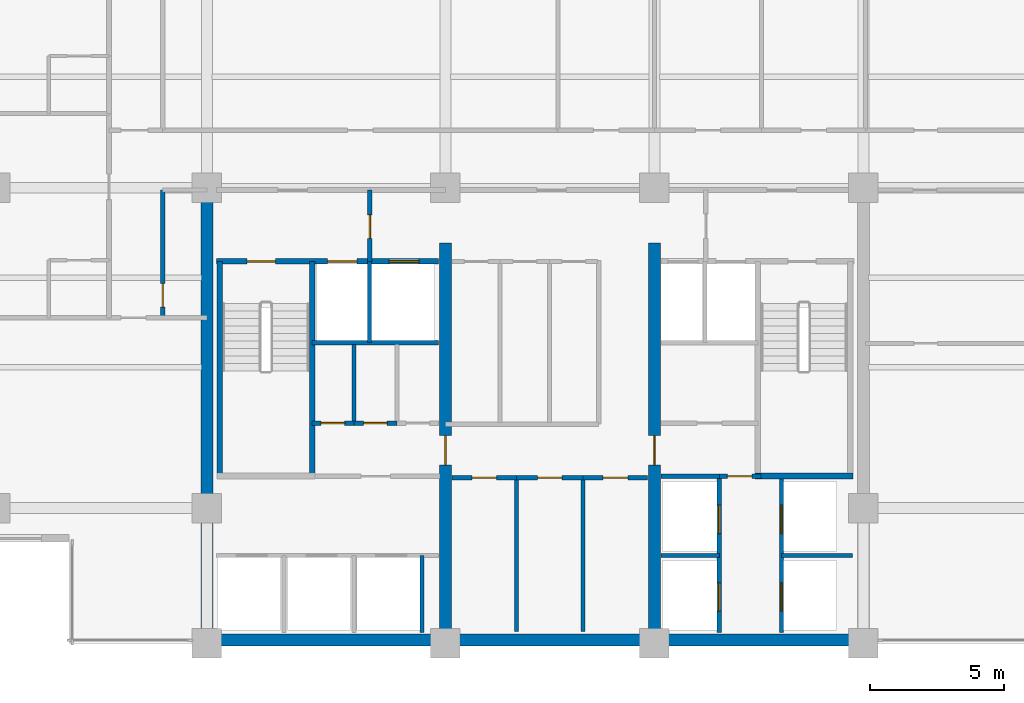
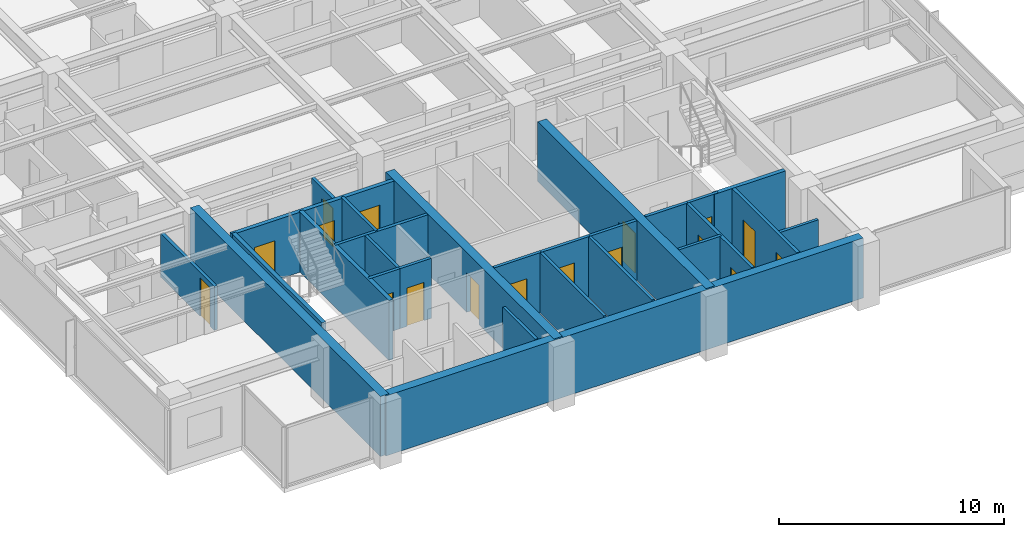
# One storey, part 7 of 15: 27 walls, 17 doors, 17 openings.
"""IFC4 building model written with IfcOpenShell, lengths in metres."""

import ifcopenshell
import ifcopenshell.guid

model = None  # the IFC model being written
_history = None  # IfcOwnerHistory: only IFC2X3 demands one
_inside = {}  # id of a spatial element -> (the spatial element, [elements in it])
_under = {}  # id of a project, library or spatial element -> (it, [spatial elements below it])
_declared = {}  # id of a project -> (the project, [libraries it declares])
_typed = {}  # id of a type object -> (the type object, [elements of that type])
_made_of = {}  # id of a material, layer set ... -> (it, [elements and type objects made of it])


def new_model(schema):
    """Start an empty IFC model of exactly this schema.

    Asked for "IFC4X3", IfcOpenShell would pick the latest addendum, in which some entities
    have other attributes; the version numbers below select the first issue.
    IFC2X3 requires an IfcOwnerHistory on every rooted entity: one is made here for all.
    """
    global model, _history
    if schema == "IFC4X3":
        model = ifcopenshell.file(schema_version=(4, 3, 0, 0))
    else:
        model = ifcopenshell.file(schema=schema)
    _inside.clear()
    _under.clear()
    _declared.clear()
    _typed.clear()
    _made_of.clear()
    _history = None
    if model.schema == "IFC2X3":
        org = make("IfcOrganization", Name="unknown")
        user = make(
            "IfcPersonAndOrganization",
            ThePerson=make("IfcPerson", FamilyName="unknown"),
            TheOrganization=org,
        )
        app = make(
            "IfcApplication",
            ApplicationDeveloper=org,
            Version="unknown",
            ApplicationFullName="unknown",
            ApplicationIdentifier="unknown",
        )
        _history = make(
            "IfcOwnerHistory",
            OwningUser=user,
            OwningApplication=app,
            ChangeAction="ADDED",
            CreationDate=0,
        )
    return model


def make(cls, **values):
    """One entity of the class cls with the attributes given. An attribute that is None is left unset."""
    return model.create_entity(
        cls, **{name: value for name, value in values.items() if value is not None}
    )


def rooted(cls, **values):
    """An entity with a GlobalId (a new one), such as an element, a storey or a relation."""
    return make(cls, GlobalId=ifcopenshell.guid.new(), OwnerHistory=_history, **values)


def si_unit(unit_type, name, prefix=None):
    """IfcSIUnit, for example si_unit("LENGTHUNIT", "METRE", prefix="MILLI")."""
    return make("IfcSIUnit", UnitType=unit_type, Prefix=prefix, Name=name)


def assignment(units):
    """IfcUnitAssignment: the units of a project."""
    return None if units is None else make("IfcUnitAssignment", Units=units)


def point(xyz):
    """IfcCartesianPoint."""
    return None if xyz is None else make("IfcCartesianPoint", Coordinates=xyz)


def direction(xyz):
    """IfcDirection."""
    return None if xyz is None else make("IfcDirection", DirectionRatios=xyz)


def frame(location, z_axis=None, x_axis=None):
    """IfcAxis2Placement3D, a coordinate frame: its origin and axes. An axis left out is left unset."""
    return make(
        "IfcAxis2Placement3D",
        Location=point(location),
        Axis=direction(z_axis),
        RefDirection=direction(x_axis),
    )


def frame_2d(location, x_axis=None):
    """IfcAxis2Placement2D, a coordinate frame in the plane: its origin and x axis."""
    return make(
        "IfcAxis2Placement2D", Location=point(location), RefDirection=direction(x_axis)
    )


def origin():
    """The frame at (0, 0, 0) with its axes left unset."""
    return frame((0.0, 0.0, 0.0))


def place(relative_to, where):
    """IfcLocalPlacement: puts the frame where relative to a parent placement (None: the world)."""
    return make(
        "IfcLocalPlacement", PlacementRelTo=relative_to, RelativePlacement=where
    )


def context(
    kind, dimensions, precision=None, world=None, true_north=None, identifier=None
):
    """IfcGeometricRepresentationContext, for example the 3D "Model" context."""
    return make(
        "IfcGeometricRepresentationContext",
        ContextIdentifier=identifier,
        ContextType=kind,
        CoordinateSpaceDimension=dimensions,
        Precision=precision,
        WorldCoordinateSystem=world,
        TrueNorth=true_north,
    )


def subcontext(parent, identifier, kind, view, scale=None):
    """IfcGeometricRepresentationSubContext, for example "Body" below "Model"."""
    return make(
        "IfcGeometricRepresentationSubContext",
        ContextIdentifier=identifier,
        ContextType=kind,
        ParentContext=parent,
        TargetScale=scale,
        TargetView=view,
    )


def project(units=None, contexts=None):
    """IfcProject with its units and contexts."""
    return rooted(
        "IfcProject",
        Name="project",
        RepresentationContexts=contexts,
        UnitsInContext=assignment(units),
    )


def spatial(cls, under=None, at=None, **own):
    """A site, building, storey or space (cls), placed at a placement, below another one or the project."""
    s = rooted(cls, ObjectPlacement=at, **own)
    if under is not None:
        _under.setdefault(under.id(), (under, []))[1].append(s)
    return s


def profile(cls, at=None, kind="AREA", **sizes):
    """A parametric profile (cls). Its sizes go by their IFC names, for example OverallWidth=200.0."""
    return make(cls, ProfileType=kind, Position=at, **sizes)


def rectangle(**sizes):
    """IfcRectangleProfileDef."""
    return profile("IfcRectangleProfileDef", **sizes)


def extrude(swept, where, along, depth):
    """IfcExtrudedAreaSolid: the profile swept, set in the frame where, extruded along a direction by depth."""
    return make(
        "IfcExtrudedAreaSolid",
        SweptArea=swept,
        Position=where,
        ExtrudedDirection=direction(along),
        Depth=depth,
    )


def shape(context_of_items, identifier, shape_type, items):
    """IfcShapeRepresentation: the items that make up one representation, for example the "Body"."""
    return make(
        "IfcShapeRepresentation",
        ContextOfItems=context_of_items,
        RepresentationIdentifier=identifier,
        RepresentationType=shape_type,
        Items=items,
    )


def material(Name=None, Category=None):
    """IfcMaterial."""
    return make("IfcMaterial", Name=Name, Category=Category)


def layer(
    of_material, thickness, ventilated=None, Name=None, Category=None, Priority=None
):
    """IfcMaterialLayer: one layer of a wall or slab, of a material (None: an air gap)."""
    return make(
        "IfcMaterialLayer",
        Material=of_material,
        LayerThickness=thickness,
        IsVentilated=ventilated,
        Name=Name,
        Category=Category,
        Priority=Priority,
    )


def layer_set(layers, Name=None):
    """IfcMaterialLayerSet."""
    return make("IfcMaterialLayerSet", MaterialLayers=layers, LayerSetName=Name)


def made_of(thing, what):
    """Note that an element or type object is made of a material, layer set ...; save() writes the relation."""
    if what is not None:
        _made_of.setdefault(what.id(), (what, []))[1].append(thing)
    return thing


def type_object(cls, material=None, **own):
    """A type object (cls), such as IfcWallType, which elements share."""
    return made_of(rooted(cls, **own), material)


def element(
    cls,
    number,
    at=None,
    inside=None,
    cuts=None,
    type_object=None,
    material=None,
    context=None,
    identifier="Body",
    shape_type=None,
    held_by="IfcProductDefinitionShape",
    body=None,
    shapes=None,
    **own,
):
    """One element of the class cls, such as IfcWall. Its Tag is "e" and its number.

    at: its placement. inside: the storey or other place that contains it. cuts: it is an
    opening in that element (IfcRelVoidsElement). A single representation is given by context,
    identifier, shape_type and body (its items); several are given by shapes. held_by: the class
    of the entity that holds the representations. save() writes the other relations.
    """
    e = rooted(cls, Tag="e%d" % number, ObjectPlacement=at, **own)
    if body is not None:
        shapes = [shape(context, identifier, shape_type, body)]
    if shapes is not None:
        e.Representation = make(held_by, Representations=shapes)
    if inside is not None:
        _inside.setdefault(inside.id(), (inside, []))[1].append(e)
    if cuts is not None:
        rooted(
            "IfcRelVoidsElement", RelatingBuildingElement=cuts, RelatedOpeningElement=e
        )
    if type_object is not None:
        _typed.setdefault(type_object.id(), (type_object, []))[1].append(e)
    return made_of(e, material)


def fill(opening, filler):
    """IfcRelFillsElement: the door or window that sits in an opening."""
    return rooted(
        "IfcRelFillsElement",
        RelatingOpeningElement=opening,
        RelatedBuildingElement=filler,
    )


def aggregate(whole, parts):
    """IfcRelAggregates: a whole, such as a stair, and the parts it consists of."""
    return rooted("IfcRelAggregates", RelatingObject=whole, RelatedObjects=parts)


def save(model, path):
    """Write the relations noted so far, then the file.

    IfcRelAggregates (storeys below a building ...), IfcRelContainedInSpatialStructure (elements
    in a storey), IfcRelDefinesByType, IfcRelAssociatesMaterial and IfcRelDeclares: one each for
    every whole, place, type object, material and project.
    """
    for whole, parts in _under.values():
        aggregate(whole, parts)
    for where, things in _inside.values():
        rooted(
            "IfcRelContainedInSpatialStructure",
            RelatedElements=things,
            RelatingStructure=where,
        )
    for kind, things in _typed.values():
        rooted("IfcRelDefinesByType", RelatedObjects=things, RelatingType=kind)
    for what, things in _made_of.values():
        rooted("IfcRelAssociatesMaterial", RelatedObjects=things, RelatingMaterial=what)
    for by, libraries in _declared.values():
        rooted("IfcRelDeclares", RelatingContext=by, RelatedDefinitions=libraries)
    model.write(path)


model = new_model("IFC4")

# Units and contexts
model_context = context("Model", 3, precision=1e-05, world=origin(), true_north=direction((0.0, 1.0)))
body_context = subcontext(model_context, "Body", "Model", "MODEL_VIEW")
ifc_project = project(units=[si_unit("LENGTHUNIT", "METRE"), si_unit("AREAUNIT", "SQUARE_METRE"), si_unit("VOLUMEUNIT", "CUBIC_METRE"), si_unit("PLANEANGLEUNIT", "RADIAN"), si_unit("MASSUNIT", "GRAM", prefix="KILO")], contexts=[model_context])

# Site, building, storey
site_placement = place(None, origin())
site = spatial("IfcSite", under=ifc_project, at=site_placement, CompositionType="ELEMENT")
building_placement = place(site_placement, origin())
building = spatial("IfcBuilding", under=site, at=building_placement, Name="Qalmaran Belvedere Hotel", CompositionType="ELEMENT")
storey_placement = place(building_placement, frame((0.0, 0.0, 159.60009765625)))
storey = spatial("IfcBuildingStorey", under=building, at=storey_placement, Name="L40", CompositionType="ELEMENT", Elevation=159.60009765625)

# Wall
ifc_material_1 = material(Name="Concrete C50/60", Category="concrete")
ifc_layer_1 = layer(ifc_material_1, 0.449951171875, Name="Concrete C50/60")
ifc_layer_set_1 = layer_set([ifc_layer_1], Name="Concrete C50/60")
wall_type_1 = type_object("IfcWallType", Name="WL-CORE-450-C50", PredefinedType="SHEAR", material=ifc_layer_set_1)
wall_1_placement = place(storey_placement, frame((20.300048828125, 3.5, 0.0), z_axis=(0.0, 0.0, 1.0), x_axis=(0.0, 1.0, 0.0)))
element("IfcWall", 1, at=wall_1_placement, inside=storey, type_object=wall_type_1, Name="L40 West Core Shear Wall", PredefinedType="SHEAR", context=body_context, shape_type="SweptSolid", body=[
    extrude(rectangle(XDim=16.89990234375, YDim=0.449951171875, at=frame_2d((8.449951171875, 0.0))), origin(), (0.0, 0.0, 1.0), 3.25),
])

# Wall, opening, door
wall_2_placement = place(storey_placement, frame((29.199951171875, 3.5, 0.0), z_axis=(0.0, 0.0, 1.0), x_axis=(0.0, 1.0, 0.0)))
wall_2 = element("IfcWall", 2, at=wall_2_placement, inside=storey, type_object=wall_type_1, Name="L40 Core West Spine Shear Wall", PredefinedType="SHEAR", context=body_context, shape_type="SweptSolid", body=[
    extrude(rectangle(XDim=14.949951171875, YDim=0.449951171875, at=frame_2d((7.47509765625, 0.0))), origin(), (0.0, 0.0, 1.0), 3.25),
])
opening_1_placement = place(wall_2_placement, frame((7.75, 0.0, 0.0), z_axis=(0.0, 0.0, 1.0), x_axis=(-1.0, 0.0, 0.0)))
opening_1 = element("IfcOpeningElement", 3, at=opening_1_placement, cuts=wall_2, Name="Opening FD90", PredefinedType="OPENING", context=body_context, shape_type="SweptSolid", body=[
    extrude(rectangle(XDim=1.10009765625, YDim=2.14990234375, at=frame_2d((0.550048828125, 1.074951171875))), frame((0.0, 0.23486328125, 0.0), z_axis=(0.0, -1.0, 0.0), x_axis=(1.0, 0.0, 0.0)), (0.0, 0.0, 1.0), 0.469970703125),
])
ifc_material_2 = material(Name="Steel S355JR", Category="steel")
door_type_1 = type_object("IfcDoorType", Name="DR-FD90-1100X2150", OperationType="NOTDEFINED", PredefinedType="DOOR", material=ifc_material_2)
door_1_placement = place(opening_1_placement, origin())
door_1 = element("IfcDoor", 4, at=door_1_placement, inside=storey, type_object=door_type_1, Name="L40 Core West Cross-Lobby Door", OperationType="SINGLE_SWING_RIGHT", OverallHeight=2.14990234375, OverallWidth=1.10009765625, PredefinedType="DOOR", context=body_context, shape_type="SweptSolid", body=[
    extrude(rectangle(XDim=1.10009765625, YDim=2.14990234375, at=frame_2d((0.550048828125, 1.074951171875))), frame((0.0, 0.02490234375, 0.0), z_axis=(0.0, -1.0, 0.0), x_axis=(1.0, 0.0, 0.0)), (0.0, 0.0, 1.0), 0.050048828125),
])
fill(opening_1, door_1)

wall_3_placement = place(storey_placement, frame((37.0, 3.5, 0.0), z_axis=(0.0, 0.0, 1.0), x_axis=(0.0, 1.0, 0.0)))
wall_3 = element("IfcWall", 5, at=wall_3_placement, inside=storey, type_object=wall_type_1, Name="L40 Core East Spine Shear Wall", PredefinedType="SHEAR", context=body_context, shape_type="SweptSolid", body=[
    extrude(rectangle(XDim=14.949951171875, YDim=0.449951171875, at=frame_2d((7.47509765625, 0.0))), origin(), (0.0, 0.0, 1.0), 3.25),
])
opening_2_placement = place(wall_3_placement, frame((6.64990234375, 0.0, 0.0)))
opening_2 = element("IfcOpeningElement", 6, at=opening_2_placement, cuts=wall_3, Name="Opening FD90", PredefinedType="OPENING", context=body_context, shape_type="SweptSolid", body=[
    extrude(rectangle(XDim=1.10009765625, YDim=2.14990234375, at=frame_2d((0.550048828125, 1.074951171875))), frame((0.0, 0.23486328125, 0.0), z_axis=(0.0, -1.0, 0.0), x_axis=(1.0, 0.0, 0.0)), (0.0, 0.0, 1.0), 0.469970703125),
])
door_2_placement = place(opening_2_placement, origin())
door_2 = element("IfcDoor", 7, at=door_2_placement, inside=storey, type_object=door_type_1, Name="L40 Core East Cross-Lobby Door", OperationType="SINGLE_SWING_LEFT", OverallHeight=2.14990234375, OverallWidth=1.10009765625, PredefinedType="DOOR", context=body_context, shape_type="SweptSolid", body=[
    extrude(rectangle(XDim=1.10009765625, YDim=2.14990234375, at=frame_2d((0.550048828125, 1.074951171875))), frame((0.0, 0.02490234375, 0.0), z_axis=(0.0, -1.0, 0.0), x_axis=(1.0, 0.0, 0.0)), (0.0, 0.0, 1.0), 0.050048828125),
])
fill(opening_2, door_2)

# Walls
ifc_layer_2 = layer(ifc_material_1, 0.43994140625, Name="Concrete C50/60")
ifc_layer_set_2 = layer_set([ifc_layer_2], Name="Concrete C50/60")
wall_type_2 = type_object("IfcWallType", Name="WL-CORES-440-EXT", PredefinedType="SHEAR", material=ifc_layer_set_2)
wall_4_placement = place(storey_placement, frame((20.300048828125, 3.6298828125, 0.0), z_axis=(0.0, 0.0, 1.0), x_axis=(1.0, 0.0, 0.0)))
element("IfcWall", 8, at=wall_4_placement, inside=storey, type_object=wall_type_2, Name="L40 South Core Shear Wall", PredefinedType="SHEAR", context=body_context, shape_type="SweptSolid", body=[
    extrude(rectangle(XDim=24.5, YDim=0.43994140625, at=frame_2d((12.25, 0.0))), origin(), (0.0, 0.0, 1.0), 3.25),
])
ifc_material_3 = material(Name="Gypsum Stud Partition")
ifc_layer_3 = layer(ifc_material_3, 0.14990234375, Name="Gypsum Stud Partition")
ifc_layer_set_3 = layer_set([ifc_layer_3], Name="Gypsum Stud Partition")
wall_type_3 = type_object("IfcWallType", Name="WL-INT-150-EI120", PredefinedType="PARTITIONING", material=ifc_layer_set_3)
wall_5_placement = place(storey_placement, frame((26.360107421875, 14.719970703125, 0.0), z_axis=(0.0, 0.0, 1.0), x_axis=(0.0, 1.0, 0.0)))
element("IfcWall", 9, at=wall_5_placement, inside=storey, type_object=wall_type_3, Name="L40 Partition WL-FF1M-L40", PredefinedType="PARTITIONING", context=body_context, shape_type="SweptSolid", body=[
    extrude(rectangle(XDim=3.0400390625, YDim=0.14990234375, at=frame_2d((1.52001953125, 0.0))), origin(), (0.0, 0.0, 1.0), 3.25),
])
wall_6_placement = place(storey_placement, frame((28.320068359375, 3.89990234375, 0.0), z_axis=(0.0, 0.0, 1.0), x_axis=(0.0, 1.0, 0.0)))
element("IfcWall", 10, at=wall_6_placement, inside=storey, type_object=wall_type_3, Name="L40 Partition WL-POM3-L40", PredefinedType="PARTITIONING", context=body_context, shape_type="SweptSolid", body=[
    extrude(rectangle(XDim=2.880126953125, YDim=0.14990234375, at=frame_2d((1.43994140625, 0.0))), origin(), (0.0, 0.0, 1.0), 3.25),
])
wall_7_placement = place(storey_placement, frame((37.25, 6.780029296875, 0.0), z_axis=(0.0, 0.0, 1.0), x_axis=(1.0, 0.0, 0.0)))
element("IfcWall", 11, at=wall_7_placement, inside=storey, type_object=wall_type_3, Name="L40 Partition WL-PHMW-L40", PredefinedType="PARTITIONING", context=body_context, shape_type="SweptSolid", body=[
    extrude(rectangle(XDim=2.169921875, YDim=0.14990234375, at=frame_2d((1.0849609375, 0.0))), origin(), (0.0, 0.0, 1.0), 3.25),
])
wall_8_placement = place(storey_placement, frame((41.739990234375, 6.780029296875, 0.0), z_axis=(0.0, 0.0, 1.0), x_axis=(1.0, 0.0, 0.0)))
element("IfcWall", 12, at=wall_8_placement, inside=storey, type_object=wall_type_3, Name="L40 Partition WL-PHME-L40", PredefinedType="PARTITIONING", context=body_context, shape_type="SweptSolid", body=[
    extrude(rectangle(XDim=2.659912109375, YDim=0.14990234375, at=frame_2d((1.330078125, 0.0))), origin(), (0.0, 0.0, 1.0), 2.3798828125),
])
ifc_layer_4 = layer(ifc_material_3, 0.14990234375, Name="Gypsum Stud Partition")
ifc_layer_set_4 = layer_set([ifc_layer_4], Name="Gypsum Stud Partition")
wall_type_4 = type_object("IfcWallType", Name="WL-INT-150-EI60", PredefinedType="PARTITIONING", material=ifc_layer_set_4)
wall_9_placement = place(storey_placement, frame((25.781005859375, 11.719970703125, 0.0), z_axis=(0.0, 0.0, 1.0), x_axis=(0.0, 1.0, 0.0)))
element("IfcWall", 13, at=wall_9_placement, inside=storey, type_object=wall_type_4, Name="L40 Partition WL-L40-KWV1", PredefinedType="PARTITIONING", context=body_context, shape_type="SweptSolid", body=[
    extrude(rectangle(XDim=2.929931640625, YDim=0.14990234375, at=frame_2d((1.46484375, 0.0))), origin(), (0.0, 0.0, 1.0), 3.25),
])
for number, where, z_axis, x_axis, name in (
    (14, (31.85888671875, 3.949951171875, 0.0), (0.0, 0.0, 1.0), (0.0, 1.0, 0.0), "L40 Partition WL-L40-KPLV1"),
    (15, (34.341064453125, 3.949951171875, 0.0), (0.0, 0.0, 1.0), (0.0, 1.0, 0.0), "L40 Partition WL-L40-KPLV2"),
):
    element("IfcWall", number, at=place(storey_placement, frame(where, z_axis=z_axis, x_axis=x_axis)), inside=storey, type_object=wall_type_4, Name=name, PredefinedType="PARTITIONING", context=body_context, shape_type="SweptSolid", body=[
        extrude(rectangle(XDim=5.72998046875, YDim=0.14990234375, at=frame_2d((2.864990234375, 0.0))), origin(), (0.0, 0.0, 1.0), 3.25),
    ])

# Wall, opening, door
ifc_layer_5 = layer(ifc_material_3, 0.159912109375, Name="Gypsum Stud Partition")
ifc_layer_set_5 = layer_set([ifc_layer_5], Name="Gypsum Stud Partition")
wall_type_5 = type_object("IfcWallType", Name="WL-INT-160-EI120", PredefinedType="PARTITIONING", material=ifc_layer_set_5)
wall_10_placement = place(storey_placement, frame((26.3798828125, 17.760009765625, 0.0), z_axis=(0.0, 0.0, 1.0), x_axis=(0.0, 1.0, 0.0)))
wall_10 = element("IfcWall", 16, at=wall_10_placement, inside=storey, type_object=wall_type_5, Name="L40 Partition WL-FFSV1-L40", PredefinedType="PARTITIONING", context=body_context, shape_type="SweptSolid", body=[
    extrude(rectangle(XDim=2.659912109375, YDim=0.159912109375, at=frame_2d((1.330078125, 0.0))), origin(), (0.0, 0.0, 1.0), 2.69189453125),
])
opening_3_placement = place(wall_10_placement, frame((0.85009765625, 0.0, 0.0)))
opening_3 = element("IfcOpeningElement", 17, at=opening_3_placement, cuts=wall_10, Name="Opening FD60B", PredefinedType="OPENING", context=body_context, shape_type="SweptSolid", body=[
    extrude(rectangle(XDim=0.8798828125, YDim=2.080078125, at=frame_2d((0.43994140625, 1.0400390625))), frame((0.0, 0.08984375, 0.0), z_axis=(0.0, -1.0, 0.0), x_axis=(1.0, 0.0, 0.0)), (0.0, 0.0, 1.0), 0.179931640625),
])
door_type_2 = type_object("IfcDoorType", Name="DR-FD60B-880X2080", OperationType="NOTDEFINED", PredefinedType="DOOR", material=ifc_material_2)
door_3_placement = place(opening_3_placement, origin())
door_3 = element("IfcDoor", 18, at=door_3_placement, inside=storey, type_object=door_type_2, Name="L40 Service Lobby West Door", OperationType="SINGLE_SWING_RIGHT", OverallHeight=2.080078125, OverallWidth=0.8798828125, PredefinedType="DOOR", context=body_context, shape_type="SweptSolid", body=[
    extrude(rectangle(XDim=0.8798828125, YDim=2.080078125, at=frame_2d((0.43994140625, 1.0400390625))), frame((0.0, 0.02490234375, 0.0), z_axis=(0.0, -1.0, 0.0), x_axis=(1.0, 0.0, 0.0)), (0.0, 0.0, 1.0), 0.050048828125),
])
fill(opening_3, door_3)

# Wall
wall_11_placement = place(storey_placement, frame((24.219970703125, 14.719970703125, 0.0), z_axis=(0.0, 0.0, 1.0), x_axis=(1.0, 0.0, 0.0)))
element("IfcWall", 19, at=wall_11_placement, inside=storey, type_object=wall_type_5, Name="L40 Partition WL-FF1S-L40", PredefinedType="PARTITIONING", context=body_context, shape_type="SweptSolid", body=[
    extrude(rectangle(XDim=4.72998046875, YDim=0.159912109375, at=frame_2d((2.364990234375, 0.0))), origin(), (0.0, 0.0, 1.0), 3.25),
])

# Wall, openings, doors
wall_12_placement = place(storey_placement, frame((39.419921875, 3.89990234375, 0.0), z_axis=(0.0, 0.0, 1.0), x_axis=(0.0, 1.0, 0.0)))
wall_12 = element("IfcWall", 20, at=wall_12_placement, inside=storey, type_object=wall_type_5, Name="L40 Partition WL-PHW-L40", PredefinedType="PARTITIONING", context=body_context, shape_type="SweptSolid", body=[
    extrude(rectangle(XDim=5.840087890625, YDim=0.159912109375, at=frame_2d((2.919921875, 0.0))), origin(), (0.0, 0.0, 1.0), 3.25),
])
opening_4_placement = place(wall_12_placement, frame((1.860107421875, 0.0, 0.0), z_axis=(0.0, 0.0, 1.0), x_axis=(-1.0, 0.0, 0.0)))
opening_4 = element("IfcOpeningElement", 21, at=opening_4_placement, cuts=wall_12, Name="Opening LD-P2", PredefinedType="OPENING", context=body_context, shape_type="SweptSolid", body=[
    extrude(rectangle(XDim=1.06005859375, YDim=2.159912109375, at=frame_2d((0.530029296875, 1.080078125))), frame((0.0, 0.08984375, 0.0), z_axis=(0.0, -1.0, 0.0), x_axis=(1.0, 0.0, 0.0)), (0.0, 0.0, 1.0), 0.179931640625),
])
opening_5_placement = place(wall_12_placement, frame((4.760009765625, 0.0, 0.0), z_axis=(0.0, 0.0, 1.0), x_axis=(-1.0, 0.0, 0.0)))
opening_5 = element("IfcOpeningElement", 22, at=opening_5_placement, cuts=wall_12, Name="Opening LD-P2", PredefinedType="OPENING", context=body_context, shape_type="SweptSolid", body=[
    extrude(rectangle(XDim=1.06005859375, YDim=2.159912109375, at=frame_2d((0.530029296875, 1.080078125))), frame((0.0, 0.08984375, 0.0), z_axis=(0.0, -1.0, 0.0), x_axis=(1.0, 0.0, 0.0)), (0.0, 0.0, 1.0), 0.179931640625),
])
ifc_material_4 = material(Name="Stainless Steel 1.4401", Category="steel")
door_type_3 = type_object("IfcDoorType", Name="DR-LIFT-P2-1060X2160", OperationType="DOUBLE_DOOR_SLIDING", PredefinedType="DOOR", material=ifc_material_4)
door_4_placement = place(opening_4_placement, origin())
door_4 = element("IfcDoor", 23, at=door_4_placement, inside=storey, type_object=door_type_3, Name="L40 PH1 Lift Landing Door", OperationType="DOUBLE_DOOR_SLIDING", OverallHeight=2.159912109375, OverallWidth=1.06005859375, PredefinedType="DOOR", context=body_context, shape_type="SweptSolid", body=[
    extrude(rectangle(XDim=1.06005859375, YDim=2.159912109375, at=frame_2d((0.530029296875, 1.080078125))), frame((0.0, 0.02490234375, 0.0), z_axis=(0.0, -1.0, 0.0), x_axis=(1.0, 0.0, 0.0)), (0.0, 0.0, 1.0), 0.050048828125),
])
fill(opening_4, door_4)
door_5_placement = place(opening_5_placement, origin())
door_5 = element("IfcDoor", 24, at=door_5_placement, inside=storey, type_object=door_type_3, Name="L40 PH2 Lift Landing Door", OperationType="DOUBLE_DOOR_SLIDING", OverallHeight=2.159912109375, OverallWidth=1.06005859375, PredefinedType="DOOR", context=body_context, shape_type="SweptSolid", body=[
    extrude(rectangle(XDim=1.06005859375, YDim=2.159912109375, at=frame_2d((0.530029296875, 1.080078125))), frame((0.0, 0.02490234375, 0.0), z_axis=(0.0, -1.0, 0.0), x_axis=(1.0, 0.0, 0.0)), (0.0, 0.0, 1.0), 0.050048828125),
])
fill(opening_5, door_5)

wall_13_placement = place(storey_placement, frame((41.739990234375, 3.89990234375, 0.0), z_axis=(0.0, 0.0, 1.0), x_axis=(0.0, 1.0, 0.0)))
wall_13 = element("IfcWall", 25, at=wall_13_placement, inside=storey, type_object=wall_type_5, Name="L40 Partition WL-PHE-L40", PredefinedType="PARTITIONING", context=body_context, shape_type="SweptSolid", body=[
    extrude(rectangle(XDim=5.840087890625, YDim=0.159912109375, at=frame_2d((2.919921875, 0.0))), origin(), (0.0, 0.0, 1.0), 3.25),
])
opening_6_placement = place(wall_13_placement, frame((0.800048828125, 0.0, 0.0)))
opening_6 = element("IfcOpeningElement", 26, at=opening_6_placement, cuts=wall_13, Name="Opening LD-P2", PredefinedType="OPENING", context=body_context, shape_type="SweptSolid", body=[
    extrude(rectangle(XDim=1.06005859375, YDim=2.159912109375, at=frame_2d((0.530029296875, 1.080078125))), frame((0.0, 0.08984375, 0.0), z_axis=(0.0, -1.0, 0.0), x_axis=(1.0, 0.0, 0.0)), (0.0, 0.0, 1.0), 0.179931640625),
])
opening_7_placement = place(wall_13_placement, frame((3.699951171875, 0.0, 0.0)))
opening_7 = element("IfcOpeningElement", 27, at=opening_7_placement, cuts=wall_13, Name="Opening LD-P2", PredefinedType="OPENING", context=body_context, shape_type="SweptSolid", body=[
    extrude(rectangle(XDim=1.06005859375, YDim=2.159912109375, at=frame_2d((0.530029296875, 1.080078125))), frame((0.0, 0.08984375, 0.0), z_axis=(0.0, -1.0, 0.0), x_axis=(1.0, 0.0, 0.0)), (0.0, 0.0, 1.0), 0.179931640625),
])
door_6_placement = place(opening_6_placement, origin())
door_6 = element("IfcDoor", 28, at=door_6_placement, inside=storey, type_object=door_type_3, Name="L40 PH3 Lift Landing Door", OperationType="DOUBLE_DOOR_SLIDING", OverallHeight=2.159912109375, OverallWidth=1.06005859375, PredefinedType="DOOR", context=body_context, shape_type="SweptSolid", body=[
    extrude(rectangle(XDim=1.06005859375, YDim=2.159912109375, at=frame_2d((0.530029296875, 1.080078125))), frame((0.0, 0.02490234375, 0.0), z_axis=(0.0, -1.0, 0.0), x_axis=(1.0, 0.0, 0.0)), (0.0, 0.0, 1.0), 0.050048828125),
])
fill(opening_6, door_6)
door_7_placement = place(opening_7_placement, origin())
door_7 = element("IfcDoor", 29, at=door_7_placement, inside=storey, type_object=door_type_3, Name="L40 PH4 Lift Landing Door", OperationType="DOUBLE_DOOR_SLIDING", OverallHeight=2.159912109375, OverallWidth=1.06005859375, PredefinedType="DOOR", context=body_context, shape_type="SweptSolid", body=[
    extrude(rectangle(XDim=1.06005859375, YDim=2.159912109375, at=frame_2d((0.530029296875, 1.080078125))), frame((0.0, 0.02490234375, 0.0), z_axis=(0.0, -1.0, 0.0), x_axis=(1.0, 0.0, 0.0)), (0.0, 0.0, 1.0), 0.050048828125),
])
fill(opening_7, door_7)

# Wall
wall_14_placement = place(storey_placement, frame((37.25, 9.739990234375, 0.0), z_axis=(0.0, 0.0, 1.0), x_axis=(1.0, 0.0, 0.0)))
element("IfcWall", 30, at=wall_14_placement, inside=storey, type_object=wall_type_5, Name="L40 Partition WL-PHNW-L40", PredefinedType="PARTITIONING", context=body_context, shape_type="SweptSolid", body=[
    extrude(rectangle(XDim=2.169921875, YDim=0.159912109375, at=frame_2d((1.0849609375, 0.0))), origin(), (0.0, 0.0, 1.0), 3.25),
])

# Wall, opening, door
wall_15_placement = place(storey_placement, frame((39.419921875, 9.739990234375, 0.0), z_axis=(0.0, 0.0, 1.0), x_axis=(1.0, 0.0, 0.0)))
wall_15 = element("IfcWall", 31, at=wall_15_placement, inside=storey, type_object=wall_type_5, Name="L40 Partition WL-PHNL-L40", PredefinedType="PARTITIONING", context=body_context, shape_type="SweptSolid", body=[
    extrude(rectangle(XDim=1.56005859375, YDim=0.159912109375, at=frame_2d((0.780029296875, 0.0))), origin(), (0.0, 0.0, 1.0), 3.25),
])
opening_8_placement = place(wall_15_placement, frame((0.300048828125, 0.0, 0.0)))
opening_8 = element("IfcOpeningElement", 32, at=opening_8_placement, cuts=wall_15, Name="Opening FD60S1", PredefinedType="OPENING", context=body_context, shape_type="SweptSolid", body=[
    extrude(rectangle(XDim=0.919921875, YDim=2.080078125, at=frame_2d((0.4599609375, 1.0400390625))), frame((0.0, 0.08984375, 0.0), z_axis=(0.0, -1.0, 0.0), x_axis=(1.0, 0.0, 0.0)), (0.0, 0.0, 1.0), 0.179931640625),
])
ifc_material_5 = material(Name="Engineered Oak Veneer")
door_type_4 = type_object("IfcDoorType", Name="DR-FD60S-920X2080", OperationType="NOTDEFINED", PredefinedType="DOOR", material=ifc_material_5)
door_8_placement = place(opening_8_placement, origin())
door_8 = element("IfcDoor", 33, at=door_8_placement, inside=storey, type_object=door_type_4, Name="L40 High-Rise Lift Lobby Passage Door", OperationType="SINGLE_SWING_RIGHT", OverallHeight=2.080078125, OverallWidth=0.919921875, PredefinedType="DOOR", context=body_context, shape_type="SweptSolid", body=[
    extrude(rectangle(XDim=0.919921875, YDim=2.080078125, at=frame_2d((0.4599609375, 1.0400390625))), frame((0.0, 0.02490234375, 0.0), z_axis=(0.0, -1.0, 0.0), x_axis=(1.0, 0.0, 0.0)), (0.0, 0.0, 1.0), 0.050048828125),
])
fill(opening_8, door_8)

ifc_layer_6 = layer(ifc_material_3, 0.159912109375, Name="Gypsum Stud Partition")
ifc_layer_set_6 = layer_set([ifc_layer_6], Name="Gypsum Stud Partition")
wall_type_6 = type_object("IfcWallType", Name="WL-INT-160-EI60", PredefinedType="PARTITIONING", material=ifc_layer_set_6)
wall_16_placement = place(storey_placement, frame((24.219970703125, 11.719970703125, 0.0), z_axis=(0.0, 0.0, 1.0), x_axis=(1.0, 0.0, 0.0)))
wall_16 = element("IfcWall", 34, at=wall_16_placement, inside=storey, type_object=wall_type_6, Name="L40 Partition WL-L40-KWE1", PredefinedType="PARTITIONING", context=body_context, shape_type="SweptSolid", body=[
    extrude(rectangle(XDim=1.56103515625, YDim=0.159912109375, at=frame_2d((0.780517578125, 0.0))), origin(), (0.0, 0.0, 1.0), 3.25),
])
opening_9_placement = place(wall_16_placement, frame((0.340576171875, 0.0, 0.0)))
opening_9 = element("IfcOpeningElement", 35, at=opening_9_placement, cuts=wall_16, Name="Opening FD60B", PredefinedType="OPENING", context=body_context, shape_type="SweptSolid", body=[
    extrude(rectangle(XDim=0.8798828125, YDim=2.080078125, at=frame_2d((0.43994140625, 1.0400390625))), frame((0.0, 0.08984375, 0.0), z_axis=(0.0, -1.0, 0.0), x_axis=(1.0, 0.0, 0.0)), (0.0, 0.0, 1.0), 0.179931640625),
])
door_9_placement = place(opening_9_placement, origin())
door_9 = element("IfcDoor", 36, at=door_9_placement, inside=storey, type_object=door_type_2, Name="L40 Staff Core WC Door", OperationType="SINGLE_SWING_LEFT", OverallHeight=2.080078125, OverallWidth=0.8798828125, PredefinedType="DOOR", context=body_context, shape_type="SweptSolid", body=[
    extrude(rectangle(XDim=0.8798828125, YDim=2.080078125, at=frame_2d((0.43994140625, 1.0400390625))), frame((0.0, 0.02490234375, 0.0), z_axis=(0.0, -1.0, 0.0), x_axis=(1.0, 0.0, 0.0)), (0.0, 0.0, 1.0), 0.050048828125),
])
fill(opening_9, door_9)

wall_17_placement = place(storey_placement, frame((25.781005859375, 11.719970703125, 0.0), z_axis=(0.0, 0.0, 1.0), x_axis=(1.0, 0.0, 0.0)))
wall_17 = element("IfcWall", 37, at=wall_17_placement, inside=storey, type_object=wall_type_6, Name="L40 Partition WL-L40-KWE2", PredefinedType="PARTITIONING", context=body_context, shape_type="SweptSolid", body=[
    extrude(rectangle(XDim=1.608154296875, YDim=0.159912109375, at=frame_2d((0.80419921875, 0.0))), origin(), (0.0, 0.0, 1.0), 3.25),
])
opening_10_placement = place(wall_17_placement, frame((0.364013671875, 0.0, 0.0)))
opening_10 = element("IfcOpeningElement", 38, at=opening_10_placement, cuts=wall_17, Name="Opening FD60B", PredefinedType="OPENING", context=body_context, shape_type="SweptSolid", body=[
    extrude(rectangle(XDim=0.8798828125, YDim=2.080078125, at=frame_2d((0.43994140625, 1.0400390625))), frame((0.0, 0.08984375, 0.0), z_axis=(0.0, -1.0, 0.0), x_axis=(1.0, 0.0, 0.0)), (0.0, 0.0, 1.0), 0.179931640625),
])
door_10_placement = place(opening_10_placement, origin())
door_10 = element("IfcDoor", 39, at=door_10_placement, inside=storey, type_object=door_type_2, Name="L40 Electrical Distribution Room Door", OperationType="SINGLE_SWING_RIGHT", OverallHeight=2.080078125, OverallWidth=0.8798828125, PredefinedType="DOOR", context=body_context, shape_type="SweptSolid", body=[
    extrude(rectangle(XDim=0.8798828125, YDim=2.080078125, at=frame_2d((0.43994140625, 1.0400390625))), frame((0.0, 0.02490234375, 0.0), z_axis=(0.0, -1.0, 0.0), x_axis=(1.0, 0.0, 0.0)), (0.0, 0.0, 1.0), 0.050048828125),
])
fill(opening_10, door_10)

wall_18_placement = place(storey_placement, frame((29.449951171875, 9.679931640625, 0.0), z_axis=(0.0, 0.0, 1.0), x_axis=(1.0, 0.0, 0.0)))
wall_18 = element("IfcWall", 40, at=wall_18_placement, inside=storey, type_object=wall_type_6, Name="L40 Partition WL-L40-KPLE1", PredefinedType="PARTITIONING", context=body_context, shape_type="SweptSolid", body=[
    extrude(rectangle(XDim=2.408935546875, YDim=0.159912109375, at=frame_2d((1.20458984375, 0.0))), origin(), (0.0, 0.0, 1.0), 3.25),
])
opening_11_placement = place(wall_18_placement, frame((1.664306640625, 0.0, 0.0), z_axis=(0.0, 0.0, 1.0), x_axis=(-1.0, 0.0, 0.0)))
opening_11 = element("IfcOpeningElement", 41, at=opening_11_placement, cuts=wall_18, Name="Opening FD60S1", PredefinedType="OPENING", context=body_context, shape_type="SweptSolid", body=[
    extrude(rectangle(XDim=0.919921875, YDim=2.080078125, at=frame_2d((0.4599609375, 1.0400390625))), frame((0.0, 0.08984375, 0.0), z_axis=(0.0, -1.0, 0.0), x_axis=(1.0, 0.0, 0.0)), (0.0, 0.0, 1.0), 0.179931640625),
])
door_11_placement = place(opening_11_placement, origin())
door_11 = element("IfcDoor", 42, at=door_11_placement, inside=storey, type_object=door_type_4, Name="L40 Housekeeping and Linen Room Door", OperationType="SINGLE_SWING_LEFT", OverallHeight=2.080078125, OverallWidth=0.919921875, PredefinedType="DOOR", context=body_context, shape_type="SweptSolid", body=[
    extrude(rectangle(XDim=0.919921875, YDim=2.080078125, at=frame_2d((0.4599609375, 1.0400390625))), frame((0.0, 0.02490234375, 0.0), z_axis=(0.0, -1.0, 0.0), x_axis=(1.0, 0.0, 0.0)), (0.0, 0.0, 1.0), 0.050048828125),
])
fill(opening_11, door_11)

wall_19_placement = place(storey_placement, frame((31.85888671875, 9.679931640625, 0.0), z_axis=(0.0, 0.0, 1.0), x_axis=(1.0, 0.0, 0.0)))
wall_19 = element("IfcWall", 43, at=wall_19_placement, inside=storey, type_object=wall_type_6, Name="L40 Partition WL-L40-KPLE2", PredefinedType="PARTITIONING", context=body_context, shape_type="SweptSolid", body=[
    extrude(rectangle(XDim=2.482177734375, YDim=0.159912109375, at=frame_2d((1.2412109375, 0.0))), origin(), (0.0, 0.0, 1.0), 3.25),
])
opening_12_placement = place(wall_19_placement, frame((1.700927734375, 0.0, 0.0), z_axis=(0.0, 0.0, 1.0), x_axis=(-1.0, 0.0, 0.0)))
opening_12 = element("IfcOpeningElement", 44, at=opening_12_placement, cuts=wall_19, Name="Opening FD60S1", PredefinedType="OPENING", context=body_context, shape_type="SweptSolid", body=[
    extrude(rectangle(XDim=0.919921875, YDim=2.080078125, at=frame_2d((0.4599609375, 1.0400390625))), frame((0.0, 0.08984375, 0.0), z_axis=(0.0, -1.0, 0.0), x_axis=(1.0, 0.0, 0.0)), (0.0, 0.0, 1.0), 0.179931640625),
])
door_12_placement = place(opening_12_placement, origin())
door_12 = element("IfcDoor", 45, at=door_12_placement, inside=storey, type_object=door_type_4, Name="L40 Hotel Butler Service Pantry Door", OperationType="SINGLE_SWING_RIGHT", OverallHeight=2.080078125, OverallWidth=0.919921875, PredefinedType="DOOR", context=body_context, shape_type="SweptSolid", body=[
    extrude(rectangle(XDim=0.919921875, YDim=2.080078125, at=frame_2d((0.4599609375, 1.0400390625))), frame((0.0, 0.02490234375, 0.0), z_axis=(0.0, -1.0, 0.0), x_axis=(1.0, 0.0, 0.0)), (0.0, 0.0, 1.0), 0.050048828125),
])
fill(opening_12, door_12)

wall_20_placement = place(storey_placement, frame((34.341064453125, 9.679931640625, 0.0), z_axis=(0.0, 0.0, 1.0), x_axis=(1.0, 0.0, 0.0)))
wall_20 = element("IfcWall", 46, at=wall_20_placement, inside=storey, type_object=wall_type_6, Name="L40 Partition WL-L40-KPLE3", PredefinedType="PARTITIONING", context=body_context, shape_type="SweptSolid", body=[
    extrude(rectangle(XDim=2.408935546875, YDim=0.159912109375, at=frame_2d((1.20458984375, 0.0))), origin(), (0.0, 0.0, 1.0), 3.25),
])
opening_13_placement = place(wall_20_placement, frame((1.664306640625, 0.0, 0.0), z_axis=(0.0, 0.0, 1.0), x_axis=(-1.0, 0.0, 0.0)))
opening_13 = element("IfcOpeningElement", 47, at=opening_13_placement, cuts=wall_20, Name="Opening FD60S1", PredefinedType="OPENING", context=body_context, shape_type="SweptSolid", body=[
    extrude(rectangle(XDim=0.919921875, YDim=2.080078125, at=frame_2d((0.4599609375, 1.0400390625))), frame((0.0, 0.08984375, 0.0), z_axis=(0.0, -1.0, 0.0), x_axis=(1.0, 0.0, 0.0)), (0.0, 0.0, 1.0), 0.179931640625),
])
door_13_placement = place(opening_13_placement, origin())
door_13 = element("IfcDoor", 48, at=door_13_placement, inside=storey, type_object=door_type_4, Name="L40 Guest Valet Supply Store Door", OperationType="SINGLE_SWING_LEFT", OverallHeight=2.080078125, OverallWidth=0.919921875, PredefinedType="DOOR", context=body_context, shape_type="SweptSolid", body=[
    extrude(rectangle(XDim=0.919921875, YDim=2.080078125, at=frame_2d((0.4599609375, 1.0400390625))), frame((0.0, 0.02490234375, 0.0), z_axis=(0.0, -1.0, 0.0), x_axis=(1.0, 0.0, 0.0)), (0.0, 0.0, 1.0), 0.050048828125),
])
fill(opening_13, door_13)

wall_21_placement = place(storey_placement, frame((18.64990234375, 15.64990234375, 0.0), z_axis=(0.0, 0.0, 1.0), x_axis=(0.0, 1.0, 0.0)))
wall_21 = element("IfcWall", 49, at=wall_21_placement, inside=storey, type_object=wall_type_6, Name="L40 Partition WL-L40-WCL", PredefinedType="PARTITIONING", context=body_context, shape_type="SweptSolid", body=[
    extrude(rectangle(XDim=4.77001953125, YDim=0.159912109375, at=frame_2d((2.385009765625, 0.0))), origin(), (0.0, 0.0, 1.0), 2.3798828125),
])
opening_14_placement = place(wall_21_placement, frame((1.27978515625, 0.0, 0.0), z_axis=(0.0, 0.0, 1.0), x_axis=(-1.0, 0.0, 0.0)))
opening_14 = element("IfcOpeningElement", 50, at=opening_14_placement, cuts=wall_21, Name="Opening FD60B", PredefinedType="OPENING", context=body_context, shape_type="SweptSolid", body=[
    extrude(rectangle(XDim=0.8798828125, YDim=2.080078125, at=frame_2d((0.43994140625, 1.0400390625))), frame((0.0, 0.08984375, 0.0), z_axis=(0.0, -1.0, 0.0), x_axis=(1.0, 0.0, 0.0)), (0.0, 0.0, 1.0), 0.179931640625),
])
door_14_placement = place(opening_14_placement, origin())
door_14 = element("IfcDoor", 51, at=door_14_placement, inside=storey, type_object=door_type_2, Name="L40 West Closet Door", OperationType="SINGLE_SWING_LEFT", OverallHeight=2.080078125, OverallWidth=0.8798828125, PredefinedType="DOOR", context=body_context, shape_type="SweptSolid", body=[
    extrude(rectangle(XDim=0.8798828125, YDim=2.080078125, at=frame_2d((0.43994140625, 1.0400390625))), frame((0.0, 0.02490234375, 0.0), z_axis=(0.0, -1.0, 0.0), x_axis=(1.0, 0.0, 0.0)), (0.0, 0.0, 1.0), 0.050048828125),
])
fill(opening_14, door_14)

# Walls
ifc_layer_7 = layer(ifc_material_1, 0.2099609375, Name="Concrete C50/60")
ifc_layer_set_7 = layer_set([ifc_layer_7], Name="Concrete C50/60")
wall_type_7 = type_object("IfcWallType", Name="WL-STAIR-210-C50", PredefinedType="SHEAR", material=ifc_layer_set_7)
for number, where, z_axis, x_axis, name in (
    (52, (20.77490234375, 9.7451171875, 0.0), (0.0, 0.0, 1.0), (0.0, 1.0, 0.0), "L40 Stair ST-1 West Bearing Wall"),
    (53, (24.22509765625, 9.7451171875, 0.0), (0.0, 0.0, 1.0), (0.0, 1.0, 0.0), "L40 Stair ST-1 East Bearing Wall"),
):
    element("IfcWall", number, at=place(storey_placement, frame(where, z_axis=z_axis, x_axis=x_axis)), inside=storey, type_object=wall_type_7, Name=name, PredefinedType="SHEAR", context=body_context, shape_type="SweptSolid", body=[
        extrude(rectangle(XDim=8.009765625, YDim=0.2099609375, at=frame_2d((4.0048828125, 0.0))), origin(), (0.0, 0.0, 1.0), 3.25),
    ])

# Wall, openings, doors
wall_22_placement = place(storey_placement, frame((20.64990234375, 17.7548828125, 0.0), z_axis=(0.0, 0.0, 1.0), x_axis=(1.0, 0.0, 0.0)))
wall_22 = element("IfcWall", 54, at=wall_22_placement, inside=storey, type_object=wall_type_7, Name="L40 West Lobby and Stair ST-1 North Bearing Wall", PredefinedType="SHEAR", context=body_context, shape_type="SweptSolid", body=[
    extrude(rectangle(XDim=8.300048828125, YDim=0.2099609375, at=frame_2d((4.14990234375, 0.0))), origin(), (0.0, 0.0, 1.0), 3.25),
])
opening_15_placement = place(wall_22_placement, frame((2.199951171875, 0.0, 0.0), z_axis=(0.0, 0.0, 1.0), x_axis=(-1.0, 0.0, 0.0)))
opening_15 = element("IfcOpeningElement", 55, at=opening_15_placement, cuts=wall_22, Name="Opening FD90S2", PredefinedType="OPENING", context=body_context, shape_type="SweptSolid", body=[
    extrude(rectangle(XDim=1.050048828125, YDim=2.14990234375, at=frame_2d((0.52490234375, 1.074951171875))), frame((0.0, 0.114990234375, 0.0), z_axis=(0.0, -1.0, 0.0), x_axis=(1.0, 0.0, 0.0)), (0.0, 0.0, 1.0), 0.22998046875),
])
opening_16_placement = place(wall_22_placement, frame((4.14990234375, 0.0, 0.0)))
opening_16 = element("IfcOpeningElement", 56, at=opening_16_placement, cuts=wall_22, Name="Opening LD-FF", PredefinedType="OPENING", context=body_context, shape_type="SweptSolid", body=[
    extrude(rectangle(XDim=1.10009765625, YDim=2.179931640625, at=frame_2d((0.550048828125, 1.08984375))), frame((0.0, 0.114990234375, 0.0), z_axis=(0.0, -1.0, 0.0), x_axis=(1.0, 0.0, 0.0)), (0.0, 0.0, 1.0), 0.22998046875),
])
opening_17_placement = place(wall_22_placement, frame((6.449951171875, 0.0, 0.0)))
opening_17 = element("IfcOpeningElement", 57, at=opening_17_placement, cuts=wall_22, Name="Opening LD-SV", PredefinedType="OPENING", context=body_context, shape_type="SweptSolid", body=[
    extrude(rectangle(XDim=1.1201171875, YDim=2.199951171875, at=frame_2d((0.56005859375, 1.10009765625))), frame((0.0, 0.114990234375, 0.0), z_axis=(0.0, -1.0, 0.0), x_axis=(1.0, 0.0, 0.0)), (0.0, 0.0, 1.0), 0.22998046875),
])
door_type_5 = type_object("IfcDoorType", Name="DR-FD90S-1050X2150", OperationType="NOTDEFINED", PredefinedType="DOOR", material=ifc_material_2)
door_15_placement = place(opening_15_placement, origin())
door_15 = element("IfcDoor", 58, at=door_15_placement, inside=storey, type_object=door_type_5, Name="L40 Stair ST-1 Door", OperationType="SINGLE_SWING_RIGHT", OverallHeight=2.14990234375, OverallWidth=1.050048828125, PredefinedType="DOOR", context=body_context, shape_type="SweptSolid", body=[
    extrude(rectangle(XDim=1.050048828125, YDim=2.14990234375, at=frame_2d((0.52490234375, 1.074951171875))), frame((0.0, 0.02490234375, 0.0), z_axis=(0.0, -1.0, 0.0), x_axis=(1.0, 0.0, 0.0)), (0.0, 0.0, 1.0), 0.050048828125),
])
fill(opening_15, door_15)
door_type_6 = type_object("IfcDoorType", Name="DR-LIFT-FF-1100X2180", OperationType="DOUBLE_DOOR_SLIDING", PredefinedType="DOOR", material=ifc_material_4)
door_16_placement = place(opening_16_placement, origin())
door_16 = element("IfcDoor", 59, at=door_16_placement, inside=storey, type_object=door_type_6, Name="L40 FF1 Lift Landing Door", OperationType="DOUBLE_DOOR_SLIDING", OverallHeight=2.179931640625, OverallWidth=1.10009765625, PredefinedType="DOOR", context=body_context, shape_type="SweptSolid", body=[
    extrude(rectangle(XDim=1.10009765625, YDim=2.179931640625, at=frame_2d((0.550048828125, 1.08984375))), frame((0.0, 0.02490234375, 0.0), z_axis=(0.0, -1.0, 0.0), x_axis=(1.0, 0.0, 0.0)), (0.0, 0.0, 1.0), 0.050048828125),
])
fill(opening_16, door_16)
door_type_7 = type_object("IfcDoorType", Name="DR-LIFT-SV-1120X2200", OperationType="DOUBLE_DOOR_SLIDING", PredefinedType="DOOR", material=ifc_material_4)
door_17_placement = place(opening_17_placement, origin())
door_17 = element("IfcDoor", 60, at=door_17_placement, inside=storey, type_object=door_type_7, Name="L40 SV1 Lift Landing Door", OperationType="DOUBLE_DOOR_SLIDING", OverallHeight=2.199951171875, OverallWidth=1.1201171875, PredefinedType="DOOR", context=body_context, shape_type="SweptSolid", body=[
    extrude(rectangle(XDim=1.1201171875, YDim=2.199951171875, at=frame_2d((0.56005859375, 1.10009765625))), frame((0.0, 0.02490234375, 0.0), z_axis=(0.0, -1.0, 0.0), x_axis=(1.0, 0.0, 0.0)), (0.0, 0.0, 1.0), 0.050048828125),
])
fill(opening_17, door_17)

# Wall
wall_23_placement = place(storey_placement, frame((40.75, 9.7451171875, 0.0), z_axis=(0.0, 0.0, 1.0), x_axis=(1.0, 0.0, 0.0)))
element("IfcWall", 61, at=wall_23_placement, inside=storey, type_object=wall_type_7, Name="L40 Stair ST-2 South Bearing Wall", PredefinedType="SHEAR", context=body_context, shape_type="SweptSolid", body=[
    extrude(rectangle(XDim=3.659912109375, YDim=0.2099609375, at=frame_2d((1.830078125, 0.0))), origin(), (0.0, 0.0, 1.0), 3.25),
])

save(model, "model.ifc")
